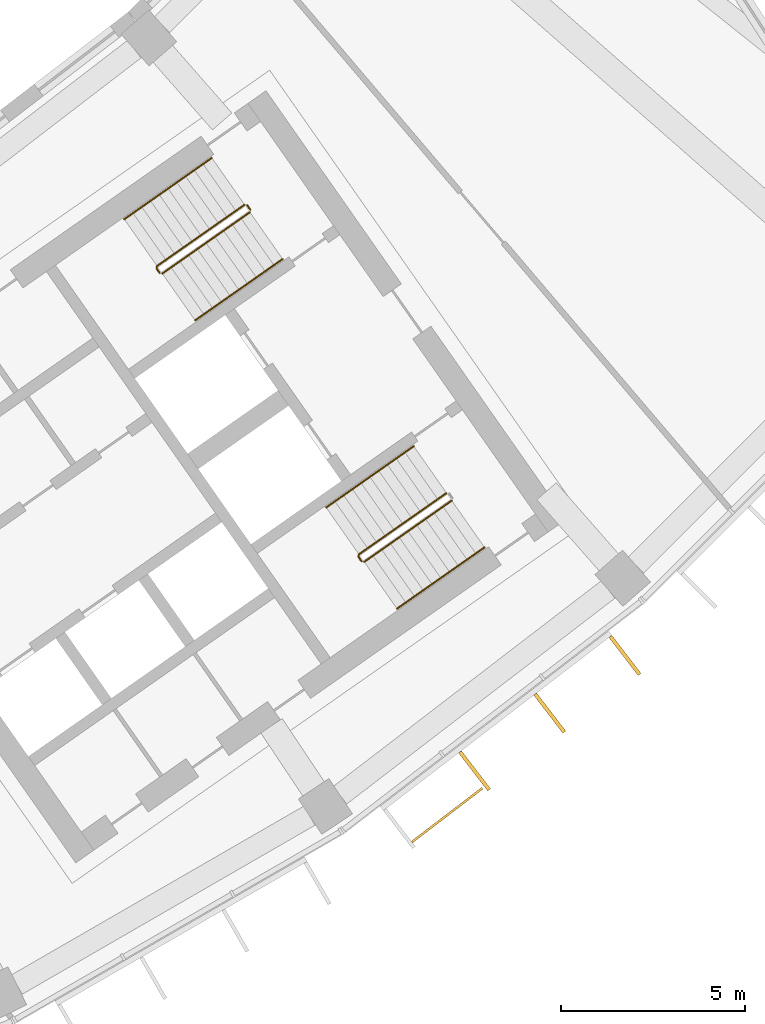
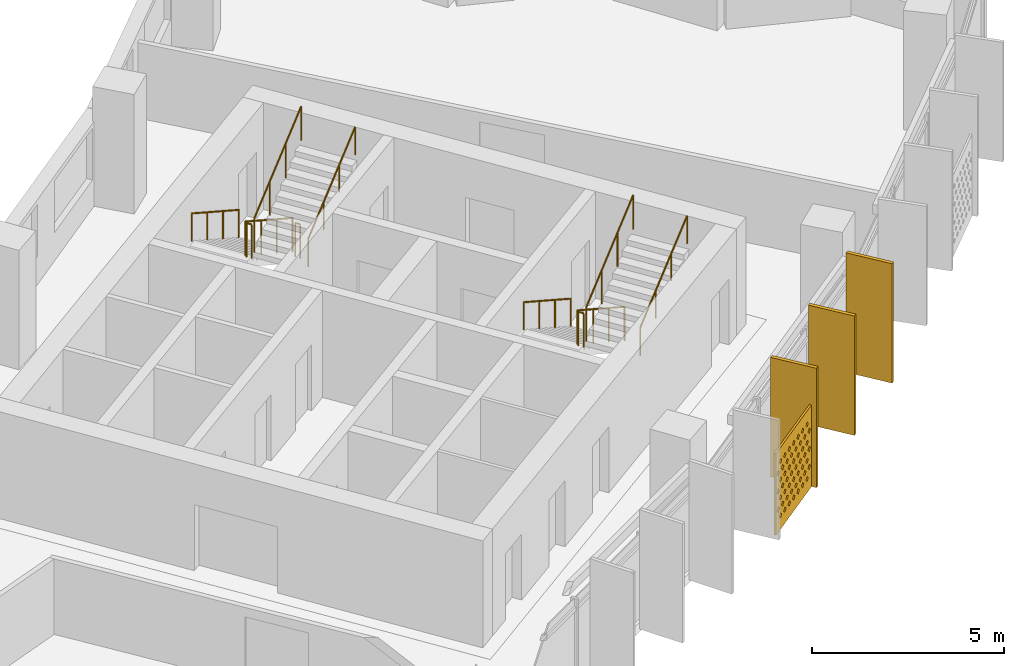
# One storey, part 27 of 28: 9 railings, 4 shading devices.
"""IFC4 building model written with IfcOpenShell, lengths in metres."""

from ifc_helpers import new_model, si_unit, direction, frame, origin, origin_2d, place, context, subcontext, project, spatial, polyline, rectangle, circle, outline, extrude, material, material_profile, profile_set, type_object, element, save


model = new_model("IFC4")

# Units and contexts
model_context = context("Model", 3, precision=1e-05, world=origin(), true_north=direction((0.0, 1.0)))
body_context = subcontext(model_context, "Body", "Model", "MODEL_VIEW")
ifc_project = project(units=[si_unit("LENGTHUNIT", "METRE"), si_unit("AREAUNIT", "SQUARE_METRE"), si_unit("VOLUMEUNIT", "CUBIC_METRE"), si_unit("PLANEANGLEUNIT", "RADIAN"), si_unit("MASSUNIT", "GRAM", prefix="KILO")], contexts=[model_context])

# Site, building, storey
site_placement = place(None, origin())
site = spatial("IfcSite", under=ifc_project, at=site_placement, CompositionType="ELEMENT")
building_placement = place(site_placement, origin())
building = spatial("IfcBuilding", under=site, at=building_placement, Name="Qamariyya Broadcast Tower", CompositionType="ELEMENT")
storey_placement = place(building_placement, frame((0.0, 0.0, 249.300048828125)))
storey = spatial("IfcBuildingStorey", under=building, at=storey_placement, Name="L60", CompositionType="ELEMENT", Elevation=249.300048828125)

# Shading device
ifc_material_1 = material(Name="Perforated glazed terracotta", Category="masonry")
ifc_material_profile_1 = material_profile(ifc_material_1, outline(polyline([(-1.199951171875, -1.300048828125), (1.199951171875, -1.300048828125), (1.199951171875, 1.300048828125), (-1.199951171875, 1.300048828125), (-1.199951171875, -1.300048828125)]), holes=[polyline([(-0.81494140625, -0.86669921875), (-0.89990234375, -0.78173828125), (-0.985107421875, -0.86669921875), (-0.89990234375, -0.95166015625), (-0.81494140625, -0.86669921875)]), polyline([(-0.514892578125, -0.86669921875), (-0.60009765625, -0.78173828125), (-0.68505859375, -0.86669921875), (-0.60009765625, -0.95166015625), (-0.514892578125, -0.86669921875)]), polyline([(-0.215087890625, -0.86669921875), (-0.300048828125, -0.78173828125), (-0.385009765625, -0.86669921875), (-0.300048828125, -0.95166015625), (-0.215087890625, -0.86669921875)]), polyline([(0.0849609375, -0.86669921875), (0.0, -0.78173828125), (-0.0849609375, -0.86669921875), (0.0, -0.95166015625), (0.0849609375, -0.86669921875)]), polyline([(0.385009765625, -0.86669921875), (0.300048828125, -0.78173828125), (0.215087890625, -0.86669921875), (0.300048828125, -0.95166015625), (0.385009765625, -0.86669921875)]), polyline([(0.68505859375, -0.86669921875), (0.60009765625, -0.78173828125), (0.514892578125, -0.86669921875), (0.60009765625, -0.95166015625), (0.68505859375, -0.86669921875)]), polyline([(0.985107421875, -0.86669921875), (0.89990234375, -0.78173828125), (0.81494140625, -0.86669921875), (0.89990234375, -0.95166015625), (0.985107421875, -0.86669921875)]), polyline([(-0.965087890625, -0.577880859375), (-1.050048828125, -0.49267578125), (-1.135009765625, -0.577880859375), (-1.050048828125, -0.662841796875), (-0.965087890625, -0.577880859375)]), polyline([(-0.6650390625, -0.577880859375), (-0.75, -0.49267578125), (-0.8349609375, -0.577880859375), (-0.75, -0.662841796875), (-0.6650390625, -0.577880859375)]), polyline([(-0.364990234375, -0.577880859375), (-0.449951171875, -0.49267578125), (-0.534912109375, -0.577880859375), (-0.449951171875, -0.662841796875), (-0.364990234375, -0.577880859375)]), polyline([(-0.06494140625, -0.577880859375), (-0.14990234375, -0.49267578125), (-0.235107421875, -0.577880859375), (-0.14990234375, -0.662841796875), (-0.06494140625, -0.577880859375)]), polyline([(0.235107421875, -0.577880859375), (0.14990234375, -0.49267578125), (0.06494140625, -0.577880859375), (0.14990234375, -0.662841796875), (0.235107421875, -0.577880859375)]), polyline([(0.534912109375, -0.577880859375), (0.449951171875, -0.49267578125), (0.364990234375, -0.577880859375), (0.449951171875, -0.662841796875), (0.534912109375, -0.577880859375)]), polyline([(0.8349609375, -0.577880859375), (0.75, -0.49267578125), (0.6650390625, -0.577880859375), (0.75, -0.662841796875), (0.8349609375, -0.577880859375)]), polyline([(1.135009765625, -0.577880859375), (1.050048828125, -0.49267578125), (0.965087890625, -0.577880859375), (1.050048828125, -0.662841796875), (1.135009765625, -0.577880859375)]), polyline([(-0.81494140625, -0.288818359375), (-0.89990234375, -0.203857421875), (-0.985107421875, -0.288818359375), (-0.89990234375, -0.373779296875), (-0.81494140625, -0.288818359375)]), polyline([(-0.514892578125, -0.288818359375), (-0.60009765625, -0.203857421875), (-0.68505859375, -0.288818359375), (-0.60009765625, -0.373779296875), (-0.514892578125, -0.288818359375)]), polyline([(-0.215087890625, -0.288818359375), (-0.300048828125, -0.203857421875), (-0.385009765625, -0.288818359375), (-0.300048828125, -0.373779296875), (-0.215087890625, -0.288818359375)]), polyline([(0.0849609375, -0.288818359375), (0.0, -0.203857421875), (-0.0849609375, -0.288818359375), (0.0, -0.373779296875), (0.0849609375, -0.288818359375)]), polyline([(0.385009765625, -0.288818359375), (0.300048828125, -0.203857421875), (0.215087890625, -0.288818359375), (0.300048828125, -0.373779296875), (0.385009765625, -0.288818359375)]), polyline([(0.68505859375, -0.288818359375), (0.60009765625, -0.203857421875), (0.514892578125, -0.288818359375), (0.60009765625, -0.373779296875), (0.68505859375, -0.288818359375)]), polyline([(0.985107421875, -0.288818359375), (0.89990234375, -0.203857421875), (0.81494140625, -0.288818359375), (0.89990234375, -0.373779296875), (0.985107421875, -0.288818359375)]), polyline([(-0.965087890625, 0.0), (-1.050048828125, 0.0849609375), (-1.135009765625, 0.0), (-1.050048828125, -0.0849609375), (-0.965087890625, 0.0)]), polyline([(-0.6650390625, 0.0), (-0.75, 0.0849609375), (-0.8349609375, 0.0), (-0.75, -0.0849609375), (-0.6650390625, 0.0)]), polyline([(-0.364990234375, 0.0), (-0.449951171875, 0.0849609375), (-0.534912109375, 0.0), (-0.449951171875, -0.0849609375), (-0.364990234375, 0.0)]), polyline([(-0.06494140625, 0.0), (-0.14990234375, 0.0849609375), (-0.235107421875, 0.0), (-0.14990234375, -0.0849609375), (-0.06494140625, 0.0)]), polyline([(0.235107421875, 0.0), (0.14990234375, 0.0849609375), (0.06494140625, 0.0), (0.14990234375, -0.0849609375), (0.235107421875, 0.0)]), polyline([(0.534912109375, 0.0), (0.449951171875, 0.0849609375), (0.364990234375, 0.0), (0.449951171875, -0.0849609375), (0.534912109375, 0.0)]), polyline([(0.8349609375, 0.0), (0.75, 0.0849609375), (0.6650390625, 0.0), (0.75, -0.0849609375), (0.8349609375, 0.0)]), polyline([(1.135009765625, 0.0), (1.050048828125, 0.0849609375), (0.965087890625, 0.0), (1.050048828125, -0.0849609375), (1.135009765625, 0.0)]), polyline([(-0.81494140625, 0.288818359375), (-0.89990234375, 0.373779296875), (-0.985107421875, 0.288818359375), (-0.89990234375, 0.203857421875), (-0.81494140625, 0.288818359375)]), polyline([(-0.514892578125, 0.288818359375), (-0.60009765625, 0.373779296875), (-0.68505859375, 0.288818359375), (-0.60009765625, 0.203857421875), (-0.514892578125, 0.288818359375)]), polyline([(-0.215087890625, 0.288818359375), (-0.300048828125, 0.373779296875), (-0.385009765625, 0.288818359375), (-0.300048828125, 0.203857421875), (-0.215087890625, 0.288818359375)]), polyline([(0.0849609375, 0.288818359375), (0.0, 0.373779296875), (-0.0849609375, 0.288818359375), (0.0, 0.203857421875), (0.0849609375, 0.288818359375)]), polyline([(0.385009765625, 0.288818359375), (0.300048828125, 0.373779296875), (0.215087890625, 0.288818359375), (0.300048828125, 0.203857421875), (0.385009765625, 0.288818359375)]), polyline([(0.68505859375, 0.288818359375), (0.60009765625, 0.373779296875), (0.514892578125, 0.288818359375), (0.60009765625, 0.203857421875), (0.68505859375, 0.288818359375)]), polyline([(0.985107421875, 0.288818359375), (0.89990234375, 0.373779296875), (0.81494140625, 0.288818359375), (0.89990234375, 0.203857421875), (0.985107421875, 0.288818359375)]), polyline([(-0.965087890625, 0.577880859375), (-1.050048828125, 0.662841796875), (-1.135009765625, 0.577880859375), (-1.050048828125, 0.49267578125), (-0.965087890625, 0.577880859375)]), polyline([(-0.6650390625, 0.577880859375), (-0.75, 0.662841796875), (-0.8349609375, 0.577880859375), (-0.75, 0.49267578125), (-0.6650390625, 0.577880859375)]), polyline([(-0.364990234375, 0.577880859375), (-0.449951171875, 0.662841796875), (-0.534912109375, 0.577880859375), (-0.449951171875, 0.49267578125), (-0.364990234375, 0.577880859375)]), polyline([(-0.06494140625, 0.577880859375), (-0.14990234375, 0.662841796875), (-0.235107421875, 0.577880859375), (-0.14990234375, 0.49267578125), (-0.06494140625, 0.577880859375)]), polyline([(0.235107421875, 0.577880859375), (0.14990234375, 0.662841796875), (0.06494140625, 0.577880859375), (0.14990234375, 0.49267578125), (0.235107421875, 0.577880859375)]), polyline([(0.534912109375, 0.577880859375), (0.449951171875, 0.662841796875), (0.364990234375, 0.577880859375), (0.449951171875, 0.49267578125), (0.534912109375, 0.577880859375)]), polyline([(0.8349609375, 0.577880859375), (0.75, 0.662841796875), (0.6650390625, 0.577880859375), (0.75, 0.49267578125), (0.8349609375, 0.577880859375)]), polyline([(1.135009765625, 0.577880859375), (1.050048828125, 0.662841796875), (0.965087890625, 0.577880859375), (1.050048828125, 0.49267578125), (1.135009765625, 0.577880859375)]), polyline([(-0.81494140625, 0.86669921875), (-0.89990234375, 0.95166015625), (-0.985107421875, 0.86669921875), (-0.89990234375, 0.78173828125), (-0.81494140625, 0.86669921875)]), polyline([(-0.514892578125, 0.86669921875), (-0.60009765625, 0.95166015625), (-0.68505859375, 0.86669921875), (-0.60009765625, 0.78173828125), (-0.514892578125, 0.86669921875)]), polyline([(-0.215087890625, 0.86669921875), (-0.300048828125, 0.95166015625), (-0.385009765625, 0.86669921875), (-0.300048828125, 0.78173828125), (-0.215087890625, 0.86669921875)]), polyline([(0.0849609375, 0.86669921875), (0.0, 0.95166015625), (-0.0849609375, 0.86669921875), (0.0, 0.78173828125), (0.0849609375, 0.86669921875)]), polyline([(0.385009765625, 0.86669921875), (0.300048828125, 0.95166015625), (0.215087890625, 0.86669921875), (0.300048828125, 0.78173828125), (0.385009765625, 0.86669921875)]), polyline([(0.68505859375, 0.86669921875), (0.60009765625, 0.95166015625), (0.514892578125, 0.86669921875), (0.60009765625, 0.78173828125), (0.68505859375, 0.86669921875)]), polyline([(0.985107421875, 0.86669921875), (0.89990234375, 0.95166015625), (0.81494140625, 0.86669921875), (0.89990234375, 0.78173828125), (0.985107421875, 0.86669921875)])]))
ifc_profile_set_1 = profile_set([ifc_material_profile_1], Name="Perforated glazed terracotta")
shading_device_type_1 = type_object("IfcShadingDeviceType", Name="Perforated terracotta screen 2400 x 2600", PredefinedType="USERDEFINED", material=ifc_profile_set_1)
shading_device_placement = place(storey_placement, frame((46.480712890625, -64.85888671875, 1.349853515625), z_axis=(0.607147566278, -0.794589096806, 0.0), x_axis=(0.794589096806, 0.607147566278, 0.0)))
element("IfcShadingDevice", 1, at=shading_device_placement, inside=storey, type_object=shading_device_type_1, Name="e-scr-L60-13-0", ObjectType="SCREEN", PredefinedType="USERDEFINED", context=body_context, shape_type="SweptSolid", body=[
    extrude(outline(polyline([(-1.199951171875, -1.300048828125), (1.199951171875, -1.300048828125), (1.199951171875, 1.300048828125), (-1.199951171875, 1.300048828125), (-1.199951171875, -1.300048828125)]), holes=[polyline([(-0.81494140625, -0.86669921875), (-0.89990234375, -0.78173828125), (-0.985107421875, -0.86669921875), (-0.89990234375, -0.95166015625), (-0.81494140625, -0.86669921875)]), polyline([(-0.514892578125, -0.86669921875), (-0.60009765625, -0.78173828125), (-0.68505859375, -0.86669921875), (-0.60009765625, -0.95166015625), (-0.514892578125, -0.86669921875)]), polyline([(-0.215087890625, -0.86669921875), (-0.300048828125, -0.78173828125), (-0.385009765625, -0.86669921875), (-0.300048828125, -0.95166015625), (-0.215087890625, -0.86669921875)]), polyline([(0.0849609375, -0.86669921875), (0.0, -0.78173828125), (-0.0849609375, -0.86669921875), (0.0, -0.95166015625), (0.0849609375, -0.86669921875)]), polyline([(0.385009765625, -0.86669921875), (0.300048828125, -0.78173828125), (0.215087890625, -0.86669921875), (0.300048828125, -0.95166015625), (0.385009765625, -0.86669921875)]), polyline([(0.68505859375, -0.86669921875), (0.60009765625, -0.78173828125), (0.514892578125, -0.86669921875), (0.60009765625, -0.95166015625), (0.68505859375, -0.86669921875)]), polyline([(0.985107421875, -0.86669921875), (0.89990234375, -0.78173828125), (0.81494140625, -0.86669921875), (0.89990234375, -0.95166015625), (0.985107421875, -0.86669921875)]), polyline([(-0.965087890625, -0.577880859375), (-1.050048828125, -0.49267578125), (-1.135009765625, -0.577880859375), (-1.050048828125, -0.662841796875), (-0.965087890625, -0.577880859375)]), polyline([(-0.6650390625, -0.577880859375), (-0.75, -0.49267578125), (-0.8349609375, -0.577880859375), (-0.75, -0.662841796875), (-0.6650390625, -0.577880859375)]), polyline([(-0.364990234375, -0.577880859375), (-0.449951171875, -0.49267578125), (-0.534912109375, -0.577880859375), (-0.449951171875, -0.662841796875), (-0.364990234375, -0.577880859375)]), polyline([(-0.06494140625, -0.577880859375), (-0.14990234375, -0.49267578125), (-0.235107421875, -0.577880859375), (-0.14990234375, -0.662841796875), (-0.06494140625, -0.577880859375)]), polyline([(0.235107421875, -0.577880859375), (0.14990234375, -0.49267578125), (0.06494140625, -0.577880859375), (0.14990234375, -0.662841796875), (0.235107421875, -0.577880859375)]), polyline([(0.534912109375, -0.577880859375), (0.449951171875, -0.49267578125), (0.364990234375, -0.577880859375), (0.449951171875, -0.662841796875), (0.534912109375, -0.577880859375)]), polyline([(0.8349609375, -0.577880859375), (0.75, -0.49267578125), (0.6650390625, -0.577880859375), (0.75, -0.662841796875), (0.8349609375, -0.577880859375)]), polyline([(1.135009765625, -0.577880859375), (1.050048828125, -0.49267578125), (0.965087890625, -0.577880859375), (1.050048828125, -0.662841796875), (1.135009765625, -0.577880859375)]), polyline([(-0.81494140625, -0.288818359375), (-0.89990234375, -0.203857421875), (-0.985107421875, -0.288818359375), (-0.89990234375, -0.373779296875), (-0.81494140625, -0.288818359375)]), polyline([(-0.514892578125, -0.288818359375), (-0.60009765625, -0.203857421875), (-0.68505859375, -0.288818359375), (-0.60009765625, -0.373779296875), (-0.514892578125, -0.288818359375)]), polyline([(-0.215087890625, -0.288818359375), (-0.300048828125, -0.203857421875), (-0.385009765625, -0.288818359375), (-0.300048828125, -0.373779296875), (-0.215087890625, -0.288818359375)]), polyline([(0.0849609375, -0.288818359375), (0.0, -0.203857421875), (-0.0849609375, -0.288818359375), (0.0, -0.373779296875), (0.0849609375, -0.288818359375)]), polyline([(0.385009765625, -0.288818359375), (0.300048828125, -0.203857421875), (0.215087890625, -0.288818359375), (0.300048828125, -0.373779296875), (0.385009765625, -0.288818359375)]), polyline([(0.68505859375, -0.288818359375), (0.60009765625, -0.203857421875), (0.514892578125, -0.288818359375), (0.60009765625, -0.373779296875), (0.68505859375, -0.288818359375)]), polyline([(0.985107421875, -0.288818359375), (0.89990234375, -0.203857421875), (0.81494140625, -0.288818359375), (0.89990234375, -0.373779296875), (0.985107421875, -0.288818359375)]), polyline([(-0.965087890625, 0.0), (-1.050048828125, 0.0849609375), (-1.135009765625, 0.0), (-1.050048828125, -0.0849609375), (-0.965087890625, 0.0)]), polyline([(-0.6650390625, 0.0), (-0.75, 0.0849609375), (-0.8349609375, 0.0), (-0.75, -0.0849609375), (-0.6650390625, 0.0)]), polyline([(-0.364990234375, 0.0), (-0.449951171875, 0.0849609375), (-0.534912109375, 0.0), (-0.449951171875, -0.0849609375), (-0.364990234375, 0.0)]), polyline([(-0.06494140625, 0.0), (-0.14990234375, 0.0849609375), (-0.235107421875, 0.0), (-0.14990234375, -0.0849609375), (-0.06494140625, 0.0)]), polyline([(0.235107421875, 0.0), (0.14990234375, 0.0849609375), (0.06494140625, 0.0), (0.14990234375, -0.0849609375), (0.235107421875, 0.0)]), polyline([(0.534912109375, 0.0), (0.449951171875, 0.0849609375), (0.364990234375, 0.0), (0.449951171875, -0.0849609375), (0.534912109375, 0.0)]), polyline([(0.8349609375, 0.0), (0.75, 0.0849609375), (0.6650390625, 0.0), (0.75, -0.0849609375), (0.8349609375, 0.0)]), polyline([(1.135009765625, 0.0), (1.050048828125, 0.0849609375), (0.965087890625, 0.0), (1.050048828125, -0.0849609375), (1.135009765625, 0.0)]), polyline([(-0.81494140625, 0.288818359375), (-0.89990234375, 0.373779296875), (-0.985107421875, 0.288818359375), (-0.89990234375, 0.203857421875), (-0.81494140625, 0.288818359375)]), polyline([(-0.514892578125, 0.288818359375), (-0.60009765625, 0.373779296875), (-0.68505859375, 0.288818359375), (-0.60009765625, 0.203857421875), (-0.514892578125, 0.288818359375)]), polyline([(-0.215087890625, 0.288818359375), (-0.300048828125, 0.373779296875), (-0.385009765625, 0.288818359375), (-0.300048828125, 0.203857421875), (-0.215087890625, 0.288818359375)]), polyline([(0.0849609375, 0.288818359375), (0.0, 0.373779296875), (-0.0849609375, 0.288818359375), (0.0, 0.203857421875), (0.0849609375, 0.288818359375)]), polyline([(0.385009765625, 0.288818359375), (0.300048828125, 0.373779296875), (0.215087890625, 0.288818359375), (0.300048828125, 0.203857421875), (0.385009765625, 0.288818359375)]), polyline([(0.68505859375, 0.288818359375), (0.60009765625, 0.373779296875), (0.514892578125, 0.288818359375), (0.60009765625, 0.203857421875), (0.68505859375, 0.288818359375)]), polyline([(0.985107421875, 0.288818359375), (0.89990234375, 0.373779296875), (0.81494140625, 0.288818359375), (0.89990234375, 0.203857421875), (0.985107421875, 0.288818359375)]), polyline([(-0.965087890625, 0.577880859375), (-1.050048828125, 0.662841796875), (-1.135009765625, 0.577880859375), (-1.050048828125, 0.49267578125), (-0.965087890625, 0.577880859375)]), polyline([(-0.6650390625, 0.577880859375), (-0.75, 0.662841796875), (-0.8349609375, 0.577880859375), (-0.75, 0.49267578125), (-0.6650390625, 0.577880859375)]), polyline([(-0.364990234375, 0.577880859375), (-0.449951171875, 0.662841796875), (-0.534912109375, 0.577880859375), (-0.449951171875, 0.49267578125), (-0.364990234375, 0.577880859375)]), polyline([(-0.06494140625, 0.577880859375), (-0.14990234375, 0.662841796875), (-0.235107421875, 0.577880859375), (-0.14990234375, 0.49267578125), (-0.06494140625, 0.577880859375)]), polyline([(0.235107421875, 0.577880859375), (0.14990234375, 0.662841796875), (0.06494140625, 0.577880859375), (0.14990234375, 0.49267578125), (0.235107421875, 0.577880859375)]), polyline([(0.534912109375, 0.577880859375), (0.449951171875, 0.662841796875), (0.364990234375, 0.577880859375), (0.449951171875, 0.49267578125), (0.534912109375, 0.577880859375)]), polyline([(0.8349609375, 0.577880859375), (0.75, 0.662841796875), (0.6650390625, 0.577880859375), (0.75, 0.49267578125), (0.8349609375, 0.577880859375)]), polyline([(1.135009765625, 0.577880859375), (1.050048828125, 0.662841796875), (0.965087890625, 0.577880859375), (1.050048828125, 0.49267578125), (1.135009765625, 0.577880859375)]), polyline([(-0.81494140625, 0.86669921875), (-0.89990234375, 0.95166015625), (-0.985107421875, 0.86669921875), (-0.89990234375, 0.78173828125), (-0.81494140625, 0.86669921875)]), polyline([(-0.514892578125, 0.86669921875), (-0.60009765625, 0.95166015625), (-0.68505859375, 0.86669921875), (-0.60009765625, 0.78173828125), (-0.514892578125, 0.86669921875)]), polyline([(-0.215087890625, 0.86669921875), (-0.300048828125, 0.95166015625), (-0.385009765625, 0.86669921875), (-0.300048828125, 0.78173828125), (-0.215087890625, 0.86669921875)]), polyline([(0.0849609375, 0.86669921875), (0.0, 0.95166015625), (-0.0849609375, 0.86669921875), (0.0, 0.78173828125), (0.0849609375, 0.86669921875)]), polyline([(0.385009765625, 0.86669921875), (0.300048828125, 0.95166015625), (0.215087890625, 0.86669921875), (0.300048828125, 0.78173828125), (0.385009765625, 0.86669921875)]), polyline([(0.68505859375, 0.86669921875), (0.60009765625, 0.95166015625), (0.514892578125, 0.86669921875), (0.60009765625, 0.78173828125), (0.68505859375, 0.86669921875)]), polyline([(0.985107421875, 0.86669921875), (0.89990234375, 0.95166015625), (0.81494140625, 0.86669921875), (0.89990234375, 0.78173828125), (0.985107421875, 0.86669921875)])]), origin(), (0.0, 0.0, 1.0), 0.059814453125),
])

# Railings
ifc_material_2 = material(Name="Painted steel", Category="steel")
railing_type_1 = type_object("IfcRailingType", Name="Stair guard", PredefinedType="GUARDRAIL", material=ifc_material_2)
railing_1_placement = place(storey_placement, frame((41.003173828125, -48.320068359375, 0.172607421875)))
element("IfcRailing", 2, at=railing_1_placement, inside=storey, type_object=railing_type_1, Name="L60 ST-E2 stair guard 1", PredefinedType="GUARDRAIL", context=body_context, shape_type="SweptSolid", body=[
    extrude(circle(Radius=0.02392578125, at=origin_2d()), frame((0.0, 0.0, 1.076171875), z_axis=(-0.703770094002, -0.492783725636, 0.511734163933), x_axis=(0.573575343427, -0.819152809562, 0.0)), (0.0, 0.0, 1.0), 3.37548828125),
    extrude(circle(Radius=0.02392578125, at=origin_2d()), frame((-2.37548828125, -1.663330078125, 2.80322265625), z_axis=(-0.172799478008, -0.984957024646, 0.0), x_axis=(0.984957024646, -0.172799478008, 0.0)), (0.0, 0.0, 1.0), 0.070556640625),
    extrude(circle(Radius=0.02392578125, at=origin_2d()), frame((-2.3876953125, -1.73291015625, 2.80322265625), z_axis=(0.572588637393, -0.819842821722, 0.0), x_axis=(0.819842821722, 0.572588637393, 0.0)), (0.0, 0.0, 1.0), 0.150146484375),
    extrude(circle(Radius=0.02099609375, at=origin_2d()), origin(), (0.0, 0.0, 1.0), 1.052001953125),
    extrude(circle(Radius=0.02099609375, at=origin_2d()), frame((-0.791748046875, -0.554443359375, 0.57568359375)), (0.0, 0.0, 1.0), 1.052001953125),
    extrude(circle(Radius=0.02099609375, at=origin_2d()), frame((-1.583740234375, -1.10888671875, 1.151611328125)), (0.0, 0.0, 1.0), 1.052001953125),
    extrude(circle(Radius=0.02099609375, at=origin_2d()), frame((-2.37548828125, -1.663330078125, 1.727294921875)), (0.0, 0.0, 1.0), 1.052001953125),
    extrude(circle(Radius=0.02099609375, at=origin_2d()), frame((-2.3876953125, -1.73291015625, 1.727294921875)), (0.0, 0.0, 1.0), 1.052001953125),
    extrude(circle(Radius=0.02099609375, at=origin_2d()), frame((-2.3017578125, -1.85595703125, 1.727294921875)), (0.0, 0.0, 1.0), 1.052001953125),
])
railing_2_placement = place(storey_placement, frame((38.771240234375, -50.188232421875, 2.07275390625)))
element("IfcRailing", 3, at=railing_2_placement, inside=storey, type_object=railing_type_1, Name="L60 ST-E2 stair guard 2", PredefinedType="GUARDRAIL", context=body_context, shape_type="SweptSolid", body=[
    extrude(circle(Radius=0.02392578125, at=origin_2d()), frame((0.0, 0.0, 1.076171875), z_axis=(0.703770094002, 0.492783725636, 0.511734163933), x_axis=(-0.573575343427, 0.819152809562, 0.0)), (0.0, 0.0, 1.0), 3.37548828125),
    extrude(circle(Radius=0.02099609375, at=origin_2d()), origin(), (0.0, 0.0, 1.0), 1.052001953125),
    extrude(circle(Radius=0.02099609375, at=origin_2d()), frame((0.791748046875, 0.554443359375, 0.57568359375)), (0.0, 0.0, 1.0), 1.052001953125),
    extrude(circle(Radius=0.02099609375, at=origin_2d()), frame((1.583740234375, 1.10888671875, 1.151611328125)), (0.0, 0.0, 1.0), 1.052001953125),
    extrude(circle(Radius=0.02099609375, at=origin_2d()), frame((2.37548828125, 1.663330078125, 1.727294921875)), (0.0, 0.0, 1.0), 1.052001953125),
])
railing_3_placement = place(storey_placement, frame((41.072998046875, -48.332275390625, 0.0)))
element("IfcRailing", 4, at=railing_3_placement, inside=storey, type_object=railing_type_1, Name="L60 ST-E2 stair guard 3", PredefinedType="GUARDRAIL", context=body_context, shape_type="SweptSolid", body=[
    extrude(circle(Radius=0.02392578125, at=origin_2d()), frame((0.0, 0.0, 1.076171875), z_axis=(0.572588637393, -0.819842821722, 0.0), x_axis=(0.819842821722, 0.572588637393, 0.0)), (0.0, 0.0, 1.0), 0.150146484375),
    extrude(circle(Radius=0.02099609375, at=origin_2d()), origin(), (0.0, 0.0, 1.0), 1.052001953125),
    extrude(circle(Radius=0.02099609375, at=origin_2d()), frame((0.0859375, -0.123046875, 0.0)), (0.0, 0.0, 1.0), 1.052001953125),
])
railing_4_placement = place(storey_placement, frame((46.48095703125, -56.14306640625, 0.172607421875)))
element("IfcRailing", 5, at=railing_4_placement, inside=storey, type_object=railing_type_1, Name="L60 ST-E1 stair guard 1", PredefinedType="GUARDRAIL", context=body_context, shape_type="SweptSolid", body=[
    extrude(circle(Radius=0.02392578125, at=origin_2d()), frame((0.0, 0.0, 1.076171875), z_axis=(-0.703770094002, -0.492783725636, 0.511734163933), x_axis=(0.573575343427, -0.819152809562, 0.0)), (0.0, 0.0, 1.0), 3.37548828125),
    extrude(circle(Radius=0.02392578125, at=origin_2d()), frame((-2.37548828125, -1.663330078125, 2.80322265625), z_axis=(-0.176149252506, -0.984363469884, 0.0), x_axis=(0.984363469884, -0.176149252506, 0.0)), (0.0, 0.0, 1.0), 0.07080078125),
    extrude(circle(Radius=0.02392578125, at=origin_2d()), frame((-2.387939453125, -1.73291015625, 2.80322265625), z_axis=(0.574444878118, -0.818543268254, 0.0), x_axis=(0.818543268254, 0.574444878118, 0.0)), (0.0, 0.0, 1.0), 0.150146484375),
    extrude(circle(Radius=0.02099609375, at=origin_2d()), origin(), (0.0, 0.0, 1.0), 1.052001953125),
    extrude(circle(Radius=0.02099609375, at=origin_2d()), frame((-0.791748046875, -0.554443359375, 0.57568359375)), (0.0, 0.0, 1.0), 1.052001953125),
    extrude(circle(Radius=0.02099609375, at=origin_2d()), frame((-1.583740234375, -1.10888671875, 1.151611328125)), (0.0, 0.0, 1.0), 1.052001953125),
    extrude(circle(Radius=0.02099609375, at=origin_2d()), frame((-2.37548828125, -1.663330078125, 1.727294921875)), (0.0, 0.0, 1.0), 1.052001953125),
    extrude(circle(Radius=0.02099609375, at=origin_2d()), frame((-2.387939453125, -1.73291015625, 1.727294921875)), (0.0, 0.0, 1.0), 1.052001953125),
    extrude(circle(Radius=0.02099609375, at=origin_2d()), frame((-2.3017578125, -1.855712890625, 1.727294921875)), (0.0, 0.0, 1.0), 1.052001953125),
])
railing_5_placement = place(storey_placement, frame((44.248779296875, -58.01123046875, 2.07275390625)))
element("IfcRailing", 6, at=railing_5_placement, inside=storey, type_object=railing_type_1, Name="L60 ST-E1 stair guard 2", PredefinedType="GUARDRAIL", context=body_context, shape_type="SweptSolid", body=[
    extrude(circle(Radius=0.02392578125, at=origin_2d()), frame((0.0, 0.0, 1.076171875), z_axis=(0.703745009021, 0.492838488332, 0.511715923826), x_axis=(-0.573631830683, 0.819113253969, 0.0)), (0.0, 0.0, 1.0), 3.37548828125),
    extrude(circle(Radius=0.02099609375, at=origin_2d()), origin(), (0.0, 0.0, 1.0), 1.052001953125),
    extrude(circle(Radius=0.02099609375, at=origin_2d()), frame((0.791748046875, 0.554443359375, 0.57568359375)), (0.0, 0.0, 1.0), 1.052001953125),
    extrude(circle(Radius=0.02099609375, at=origin_2d()), frame((1.583740234375, 1.109130859375, 1.151611328125)), (0.0, 0.0, 1.0), 1.052001953125),
    extrude(circle(Radius=0.02099609375, at=origin_2d()), frame((2.37548828125, 1.66357421875, 1.727294921875)), (0.0, 0.0, 1.0), 1.052001953125),
])
ifc_material_3 = material(Name="Stainless steel", Category="steel")
railing_type_2 = type_object("IfcRailingType", Name="Stair handrail", PredefinedType="HANDRAIL", material=ifc_material_3)
railing_6_placement = place(storey_placement, frame((40.1142578125, -47.05029296875, 0.172607421875)))
element("IfcRailing", 7, at=railing_6_placement, inside=storey, type_object=railing_type_2, Name="L60 ST-E2 stair handrail 1", PredefinedType="HANDRAIL", context=body_context, shape_type="SweptSolid", body=[
    extrude(circle(Radius=0.02392578125, at=origin_2d()), frame((0.0, 0.0, 0.8759765625), z_axis=(-0.703745009021, -0.492838488332, 0.511715923826), x_axis=(0.573631830683, -0.819113253969, 0.0)), (0.0, 0.0, 1.0), 3.37548828125),
    extrude(circle(Radius=0.02099609375, at=origin_2d()), origin(), (0.0, 0.0, 1.0), 0.851806640625),
    extrude(circle(Radius=0.02099609375, at=origin_2d()), frame((-0.791748046875, -0.554443359375, 0.57568359375)), (0.0, 0.0, 1.0), 0.851806640625),
    extrude(circle(Radius=0.02099609375, at=origin_2d()), frame((-1.583740234375, -1.109130859375, 1.151611328125)), (0.0, 0.0, 1.0), 0.851806640625),
    extrude(circle(Radius=0.02099609375, at=origin_2d()), frame((-2.37548828125, -1.66357421875, 1.727294921875)), (0.0, 0.0, 1.0), 0.851806640625),
])
railing_7_placement = place(storey_placement, frame((39.66015625, -51.4580078125, 2.07275390625)))
element("IfcRailing", 8, at=railing_7_placement, inside=storey, type_object=railing_type_2, Name="L60 ST-E2 stair handrail 2", PredefinedType="HANDRAIL", context=body_context, shape_type="SweptSolid", body=[
    extrude(circle(Radius=0.02392578125, at=origin_2d()), frame((0.0, 0.0, 0.8759765625), z_axis=(0.703745009021, 0.492838488332, 0.511715923826), x_axis=(-0.573631830683, 0.819113253969, 0.0)), (0.0, 0.0, 1.0), 3.37548828125),
    extrude(circle(Radius=0.02099609375, at=origin_2d()), origin(), (0.0, 0.0, 1.0), 0.851806640625),
    extrude(circle(Radius=0.02099609375, at=origin_2d()), frame((0.791748046875, 0.554443359375, 0.57568359375)), (0.0, 0.0, 1.0), 0.851806640625),
    extrude(circle(Radius=0.02099609375, at=origin_2d()), frame((1.583740234375, 1.109130859375, 1.151611328125)), (0.0, 0.0, 1.0), 0.851806640625),
    extrude(circle(Radius=0.02099609375, at=origin_2d()), frame((2.37548828125, 1.66357421875, 1.727294921875)), (0.0, 0.0, 1.0), 0.851806640625),
])
railing_8_placement = place(storey_placement, frame((45.591796875, -54.873291015625, 0.172607421875)))
element("IfcRailing", 9, at=railing_8_placement, inside=storey, type_object=railing_type_2, Name="L60 ST-E1 stair handrail 1", PredefinedType="HANDRAIL", context=body_context, shape_type="SweptSolid", body=[
    extrude(circle(Radius=0.02392578125, at=origin_2d()), frame((0.0, 0.0, 0.8759765625), z_axis=(-0.703770094002, -0.492783725636, 0.511734163933), x_axis=(0.573575343427, -0.819152809562, 0.0)), (0.0, 0.0, 1.0), 3.37548828125),
    extrude(circle(Radius=0.02099609375, at=origin_2d()), origin(), (0.0, 0.0, 1.0), 0.851806640625),
    extrude(circle(Radius=0.02099609375, at=origin_2d()), frame((-0.791748046875, -0.554443359375, 0.57568359375)), (0.0, 0.0, 1.0), 0.851806640625),
    extrude(circle(Radius=0.02099609375, at=origin_2d()), frame((-1.583740234375, -1.10888671875, 1.151611328125)), (0.0, 0.0, 1.0), 0.851806640625),
    extrude(circle(Radius=0.02099609375, at=origin_2d()), frame((-2.37548828125, -1.663330078125, 1.727294921875)), (0.0, 0.0, 1.0), 0.851806640625),
])
railing_9_placement = place(storey_placement, frame((45.137939453125, -59.28076171875, 2.07275390625)))
element("IfcRailing", 10, at=railing_9_placement, inside=storey, type_object=railing_type_2, Name="L60 ST-E1 stair handrail 2", PredefinedType="HANDRAIL", context=body_context, shape_type="SweptSolid", body=[
    extrude(circle(Radius=0.02392578125, at=origin_2d()), frame((0.0, 0.0, 0.8759765625), z_axis=(0.703770094002, 0.492783725636, 0.511734163933), x_axis=(-0.573575343427, 0.819152809562, 0.0)), (0.0, 0.0, 1.0), 3.37548828125),
    extrude(circle(Radius=0.02099609375, at=origin_2d()), origin(), (0.0, 0.0, 1.0), 0.851806640625),
    extrude(circle(Radius=0.02099609375, at=origin_2d()), frame((0.791748046875, 0.554443359375, 0.57568359375)), (0.0, 0.0, 1.0), 0.851806640625),
    extrude(circle(Radius=0.02099609375, at=origin_2d()), frame((1.583740234375, 1.10888671875, 1.151611328125)), (0.0, 0.0, 1.0), 0.851806640625),
    extrude(circle(Radius=0.02099609375, at=origin_2d()), frame((2.37548828125, 1.663330078125, 1.727294921875)), (0.0, 0.0, 1.0), 0.851806640625),
])

# Shading devices
ifc_material_4 = material(Name="Glazed terracotta", Category="masonry")
ifc_material_profile_2 = material_profile(ifc_material_4, rectangle(XDim=1.300048828125, YDim=0.10009765625, at=origin_2d()))
ifc_profile_set_2 = profile_set([ifc_material_profile_2], Name="Glazed terracotta")
shading_device_type_2 = type_object("IfcShadingDeviceType", Name="Terracotta fin 100 x 1300", PredefinedType="USERDEFINED", material=ifc_profile_set_2)
for number, where, z_axis, x_axis, name in (
    (11, (47.243408203125, -63.68115234375, 0.0), (0.0, 0.0, 1.0), (0.608761429009, -0.793353340291, 0.0), "e-fin-L60-13-1"),
    (12, (49.283935546875, -62.115478515625, 0.0), (0.0, 0.0, 1.0), (0.608761429009, -0.793353340291, 0.0), "e-fin-L60-13-2"),
    (13, (51.32421875, -60.5498046875, 0.0), (0.0, 0.0, 1.0), (0.608761429009, -0.793353340291, 0.0), "e-fin-L60-13-3"),
):
    element("IfcShadingDevice", number, at=place(storey_placement, frame(where, z_axis=z_axis, x_axis=x_axis)), inside=storey, type_object=shading_device_type_2, Name=name, ObjectType="FIN", PredefinedType="USERDEFINED", context=body_context, shape_type="SweptSolid", body=[
        extrude(rectangle(XDim=1.300048828125, YDim=0.10009765625, at=origin_2d()), origin(), (0.0, 0.0, 1.0), 3.800048828125),
    ])

save(model, "model.ifc")
